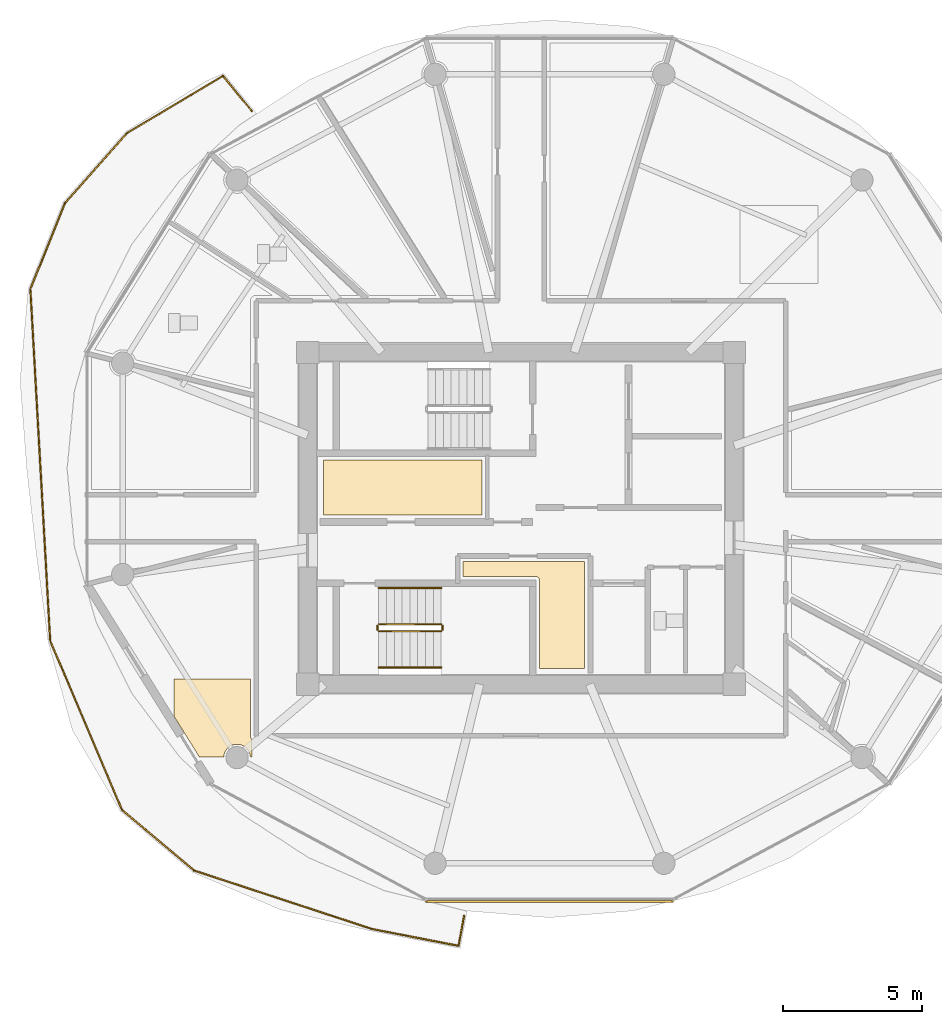
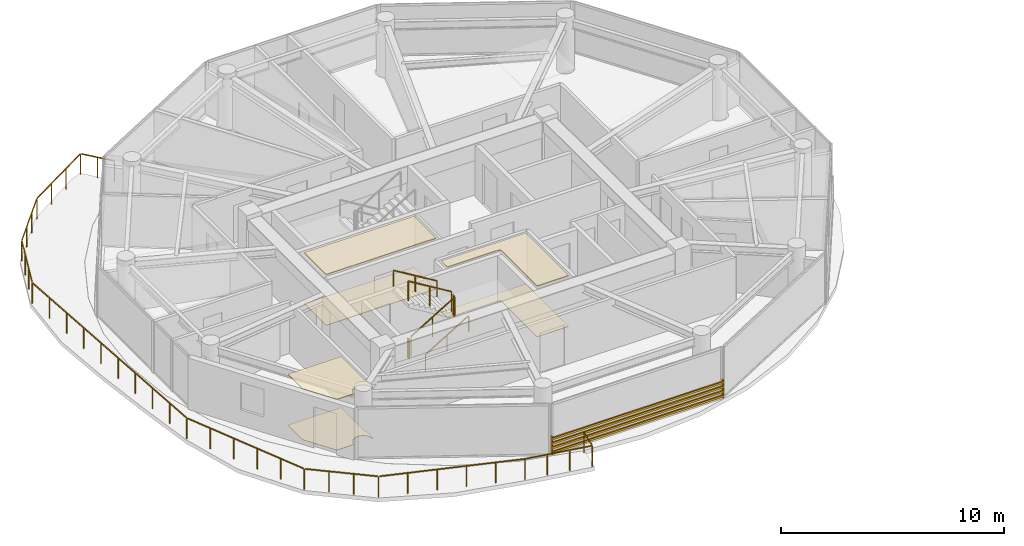
# One storey, part 19 of 25: 8 railings, 6 coverings, 1 shading device.
"""IFC4 building model written with IfcOpenShell, lengths in metres."""

from ifc_helpers import new_model, si_unit, direction, frame, origin, origin_2d, place, context, subcontext, project, spatial, polyline, rectangle, outline, extrude, source, transform, mapped, material, layer, layer_set, type_object, type_shapes, element, save


model = new_model("IFC4")

# Units and contexts
model_context = context("Model", 3, precision=1e-05, world=origin(), true_north=direction((0.0, 1.0)))
body_context = subcontext(model_context, "Body", "Model", "MODEL_VIEW")
ifc_project = project(units=[si_unit("LENGTHUNIT", "METRE"), si_unit("AREAUNIT", "SQUARE_METRE"), si_unit("VOLUMEUNIT", "CUBIC_METRE"), si_unit("PLANEANGLEUNIT", "RADIAN"), si_unit("MASSUNIT", "GRAM", prefix="KILO")], contexts=[model_context])

# Site, building, storey
site_placement = place(None, origin())
site = spatial("IfcSite", under=ifc_project, at=site_placement, CompositionType="ELEMENT")
building_placement = place(site_placement, origin())
building = spatial("IfcBuilding", under=site, at=building_placement, Name="Norrkilde Senior Care Towers", CompositionType="ELEMENT")
storey_placement = place(building_placement, frame((0.0, 0.0, 161.75)))
storey = spatial("IfcBuildingStorey", under=building, at=storey_placement, Name="L50", CompositionType="ELEMENT", Elevation=161.75)

# Coverings
ifc_material_1 = material(Name="Nordic Ash Timber", Category="wood")
ifc_layer_1 = layer(ifc_material_1, 0.044921875)
ifc_layer_set_1 = layer_set([ifc_layer_1], Name="Nordic Ash Timber")
covering_type_1 = type_object("IfcCoveringType", Name="Acoustic Ash Timber Slatted Ceiling 45", PredefinedType="CEILING", material=ifc_layer_set_1)
covering_1_placement = place(storey_placement, frame((0.0, 0.0, 2.764892578125)))
element("IfcCovering", 1, at=covering_1_placement, inside=storey, type_object=covering_type_1, Name="L50 Suspended Ceiling 0304", PredefinedType="CEILING", context=body_context, shape_type="SweptSolid", body=[
    extrude(outline(polyline([(-29.39990234375, 0.1201171875), (-35.080078125, 0.1201171875), (-35.080078125, 2.090087890625), (-29.39990234375, 2.090087890625), (-29.39990234375, 0.1201171875)])), origin(), (0.0, 0.0, 1.0), 0.045166015625),
])
covering_2_placement = place(storey_placement, frame((0.0, 0.0, 2.764892578125)))
element("IfcCovering", 2, at=covering_2_placement, inside=storey, type_object=covering_type_1, Name="L50 Suspended Ceiling 0305", PredefinedType="CEILING", context=body_context, shape_type="SweptSolid", body=[
    extrude(outline(polyline([(-27.34521484375, -2.175048828125), (-27.34912109375, -2.1640625), (-27.354248046875, -2.1533203125), (-27.360107421875, -2.143310546875), (-27.3671875, -2.1337890625), (-27.375244140625, -2.125244140625), (-27.3837890625, -2.1171875), (-27.393310546875, -2.110107421875), (-27.4033203125, -2.104248046875), (-27.4140625, -2.09912109375), (-27.425048828125, -2.09521484375), (-27.4365234375, -2.09228515625), (-27.4482421875, -2.090576171875), (-27.4599609375, -2.090087890625), (-30.080078125, -2.090087890625), (-30.080078125, -1.5400390625), (-25.7099609375, -1.5400390625), (-25.7099609375, -5.3798828125), (-27.340087890625, -5.3798828125), (-27.340087890625, -2.2099609375), (-27.340576171875, -2.1982421875), (-27.34228515625, -2.1865234375), (-27.34521484375, -2.175048828125)])), origin(), (0.0, 0.0, 1.0), 0.045166015625),
])
covering_3_placement = place(storey_placement, frame((0.0, 0.0, 2.764892578125)))
element("IfcCovering", 3, at=covering_3_placement, inside=storey, type_object=covering_type_1, Name="L50 Suspended Ceiling 0315", PredefinedType="CEILING", context=body_context, shape_type="SweptSolid", body=[
    extrude(outline(polyline([(-37.65185546875, -8.56005859375), (-37.705810546875, -8.56005859375), (-37.718994140625, -8.45947265625), (-37.766845703125, -8.34375), (-37.84326171875, -8.244384765625), (-37.942626953125, -8.16796875), (-38.058349609375, -8.1201171875), (-38.1826171875, -8.103759765625), (-38.306884765625, -8.1201171875), (-38.422607421875, -8.16796875), (-38.52197265625, -8.244384765625), (-38.598388671875, -8.34375), (-38.646240234375, -8.45947265625), (-38.659423828125, -8.56005859375), (-39.534423828125, -8.56005859375), (-40.451904296875, -7.08251953125), (-40.451904296875, -5.760009765625), (-37.699951171875, -5.760009765625), (-37.699951171875, -7.800048828125), (-37.699951171875, -7.805908203125), (-37.699462890625, -7.813720703125), (-37.6982421875, -7.825439453125), (-37.697265625, -7.833251953125), (-37.69482421875, -7.8447265625), (-37.69287109375, -7.852294921875), (-37.689453125, -7.86376953125), (-37.68701171875, -7.87109375), (-37.682373046875, -7.8818359375), (-37.678955078125, -7.888916015625), (-37.673583984375, -7.8994140625), (-37.66943359375, -7.90625), (-37.662841796875, -7.916015625), (-37.658203125, -7.92236328125), (-37.65185546875, -7.929931640625), (-37.65185546875, -8.56005859375)])), origin(), (0.0, 0.0, 1.0), 0.045166015625),
])

# Railings
ifc_material_2 = material(Name="Anodised Aluminium", Category="aluminium")
railing_type_1 = type_object("IfcRailingType", Name="Balcony Swirl Ribbon Guardrail 1150", PredefinedType="GUARDRAIL", material=ifc_material_2)
railing_1_placement = place(storey_placement, frame((-33.366455078125, -14.725830078125, 0.0)))
element("IfcRailing", 4, at=railing_1_placement, inside=storey, type_object=railing_type_1, Name="L50 Perimeter Safety Guard 03", PredefinedType="GUARDRAIL", context=body_context, shape_type="SweptSolid", body=[
    extrude(rectangle(XDim=0.048095703125, YDim=0.048095703125, at=origin_2d()), frame((0.0, 0.0, 1.1259765625), z_axis=(-0.949836458143, 0.312747026815, 0.0), x_axis=(-0.312747026815, -0.949836458143, 0.0)), (0.0, 0.0, 1.0), 6.654541015625),
    extrude(rectangle(XDim=0.048095703125, YDim=0.048095703125, at=origin_2d()), frame((-6.390869140625, 2.120361328125, 1.1259765625), z_axis=(-0.764888715317, 0.644162443163, 0.0), x_axis=(-0.644162443163, -0.764888715317, 0.0)), (0.0, 0.0, 1.0), 3.29736328125),
    extrude(rectangle(XDim=0.048095703125, YDim=0.048095703125, at=origin_2d()), frame((-8.960205078125, 4.308349609375, 1.1259765625), z_axis=(-0.390870617821, 0.92044563127, 0.0), x_axis=(-0.92044563127, -0.390870617821, 0.0)), (0.0, 0.0, 1.0), 6.504638671875),
    extrude(rectangle(XDim=0.048095703125, YDim=0.048095703125, at=origin_2d()), frame((-11.52099609375, 10.3740234375, 1.1259765625), z_axis=(-0.056265386403, 0.998415848378, 0.0), x_axis=(-0.998415848378, -0.056265386403, 0.0)), (0.0, 0.0, 1.0), 12.54931640625),
    extrude(rectangle(XDim=0.048095703125, YDim=0.048095703125, at=origin_2d()), frame((-12.21435546875, 22.982177734375, 1.1259765625), z_axis=(0.372993750319, 0.927833854859, 0.0), x_axis=(-0.927833854859, 0.372993750319, 0.0)), (0.0, 0.0, 1.0), 3.251708984375),
    extrude(rectangle(XDim=0.048095703125, YDim=0.048095703125, at=origin_2d()), frame((-10.958984375, 26.06787109375, 1.1259765625), z_axis=(0.664372872064, 0.747401289044, 0.0), x_axis=(-0.747401289044, 0.664372872064, 0.0)), (0.0, 0.0, 1.0), 3.273193359375),
    extrude(rectangle(XDim=0.048095703125, YDim=0.048095703125, at=origin_2d()), frame((-8.721923828125, 28.56591796875, 1.1259765625), z_axis=(0.858878840387, 0.512178814024, 0.0), x_axis=(-0.512178814024, 0.858878840387, 0.0)), (0.0, 0.0, 1.0), 3.91943359375),
    extrude(rectangle(XDim=0.048095703125, YDim=0.048095703125, at=origin_2d()), frame((-5.294677734375, 30.562744140625, 1.1259765625), z_axis=(0.63571776856, -0.77192157551, 0.0), x_axis=(0.77192157551, 0.63571776856, 0.0)), (0.0, 0.0, 1.0), 1.586669921875),
    extrude(rectangle(XDim=0.0419921875, YDim=0.0419921875, at=origin_2d()), origin(), (0.0, 0.0, 1.0), 1.099853515625),
    extrude(rectangle(XDim=0.0419921875, YDim=0.0419921875, at=origin_2d()), frame((-1.27197265625, 0.418701171875, 0.0)), (0.0, 0.0, 1.0), 1.099853515625),
    extrude(rectangle(XDim=0.0419921875, YDim=0.0419921875, at=origin_2d()), frame((-2.5439453125, 0.837646484375, 0.0)), (0.0, 0.0, 1.0), 1.099853515625),
    extrude(rectangle(XDim=0.0419921875, YDim=0.0419921875, at=origin_2d()), frame((-3.815673828125, 1.25634765625, 0.0)), (0.0, 0.0, 1.0), 1.099853515625),
    extrude(rectangle(XDim=0.0419921875, YDim=0.0419921875, at=origin_2d()), frame((-5.087646484375, 1.67529296875, 0.0)), (0.0, 0.0, 1.0), 1.099853515625),
    extrude(rectangle(XDim=0.0419921875, YDim=0.0419921875, at=origin_2d()), frame((-6.359619140625, 2.093994140625, 0.0)), (0.0, 0.0, 1.0), 1.099853515625),
    extrude(rectangle(XDim=0.0419921875, YDim=0.0419921875, at=origin_2d()), frame((-7.22119140625, 2.819580078125, 0.0)), (0.0, 0.0, 1.0), 1.099853515625),
    extrude(rectangle(XDim=0.0419921875, YDim=0.0419921875, at=origin_2d()), frame((-8.082763671875, 3.545166015625, 0.0)), (0.0, 0.0, 1.0), 1.099853515625),
    extrude(rectangle(XDim=0.0419921875, YDim=0.0419921875, at=origin_2d()), frame((-8.9443359375, 4.270751953125, 0.0)), (0.0, 0.0, 1.0), 1.099853515625),
    extrude(rectangle(XDim=0.0419921875, YDim=0.0419921875, at=origin_2d()), frame((-9.459228515625, 5.483154296875, 0.0)), (0.0, 0.0, 1.0), 1.099853515625),
    extrude(rectangle(XDim=0.0419921875, YDim=0.0419921875, at=origin_2d()), frame((-9.97412109375, 6.69580078125, 0.0)), (0.0, 0.0, 1.0), 1.099853515625),
    extrude(rectangle(XDim=0.0419921875, YDim=0.0419921875, at=origin_2d()), frame((-10.489013671875, 7.908203125, 0.0)), (0.0, 0.0, 1.0), 1.099853515625),
    extrude(rectangle(XDim=0.0419921875, YDim=0.0419921875, at=origin_2d()), frame((-11.00390625, 9.120849609375, 0.0)), (0.0, 0.0, 1.0), 1.099853515625),
    extrude(rectangle(XDim=0.0419921875, YDim=0.0419921875, at=origin_2d()), frame((-11.518798828125, 10.333251953125, 0.0)), (0.0, 0.0, 1.0), 1.099853515625),
    extrude(rectangle(XDim=0.0419921875, YDim=0.0419921875, at=origin_2d()), frame((-11.59765625, 11.734375, 0.0)), (0.0, 0.0, 1.0), 1.099853515625),
    extrude(rectangle(XDim=0.0419921875, YDim=0.0419921875, at=origin_2d()), frame((-11.6767578125, 13.1357421875, 0.0)), (0.0, 0.0, 1.0), 1.099853515625),
    extrude(rectangle(XDim=0.0419921875, YDim=0.0419921875, at=origin_2d()), frame((-11.755615234375, 14.536865234375, 0.0)), (0.0, 0.0, 1.0), 1.099853515625),
    extrude(rectangle(XDim=0.0419921875, YDim=0.0419921875, at=origin_2d()), frame((-11.834716796875, 15.938232421875, 0.0)), (0.0, 0.0, 1.0), 1.099853515625),
    extrude(rectangle(XDim=0.0419921875, YDim=0.0419921875, at=origin_2d()), frame((-11.91357421875, 17.33935546875, 0.0)), (0.0, 0.0, 1.0), 1.099853515625),
    extrude(rectangle(XDim=0.0419921875, YDim=0.0419921875, at=origin_2d()), frame((-11.99267578125, 18.74072265625, 0.0)), (0.0, 0.0, 1.0), 1.099853515625),
    extrude(rectangle(XDim=0.0419921875, YDim=0.0419921875, at=origin_2d()), frame((-12.071533203125, 20.141845703125, 0.0)), (0.0, 0.0, 1.0), 1.099853515625),
    extrude(rectangle(XDim=0.0419921875, YDim=0.0419921875, at=origin_2d()), frame((-12.150634765625, 21.543212890625, 0.0)), (0.0, 0.0, 1.0), 1.099853515625),
    extrude(rectangle(XDim=0.0419921875, YDim=0.0419921875, at=origin_2d()), frame((-12.2294921875, 22.9443359375, 0.0)), (0.0, 0.0, 1.0), 1.099853515625),
    extrude(rectangle(XDim=0.0419921875, YDim=0.0419921875, at=origin_2d()), frame((-11.81494140625, 23.975341796875, 0.0)), (0.0, 0.0, 1.0), 1.099853515625),
    extrude(rectangle(XDim=0.0419921875, YDim=0.0419921875, at=origin_2d()), frame((-11.400634765625, 25.00634765625, 0.0)), (0.0, 0.0, 1.0), 1.099853515625),
    extrude(rectangle(XDim=0.0419921875, YDim=0.0419921875, at=origin_2d()), frame((-10.986083984375, 26.037353515625, 0.0)), (0.0, 0.0, 1.0), 1.099853515625),
    extrude(rectangle(XDim=0.0419921875, YDim=0.0419921875, at=origin_2d()), frame((-10.2431640625, 26.873291015625, 0.0)), (0.0, 0.0, 1.0), 1.099853515625),
    extrude(rectangle(XDim=0.0419921875, YDim=0.0419921875, at=origin_2d()), frame((-9.5, 27.708984375, 0.0)), (0.0, 0.0, 1.0), 1.099853515625),
    extrude(rectangle(XDim=0.0419921875, YDim=0.0419921875, at=origin_2d()), frame((-8.757080078125, 28.544921875, 0.0)), (0.0, 0.0, 1.0), 1.099853515625),
    extrude(rectangle(XDim=0.0419921875, YDim=0.0419921875, at=origin_2d()), frame((-7.611572265625, 29.22802734375, 0.0)), (0.0, 0.0, 1.0), 1.099853515625),
    extrude(rectangle(XDim=0.0419921875, YDim=0.0419921875, at=origin_2d()), frame((-6.466064453125, 29.9111328125, 0.0)), (0.0, 0.0, 1.0), 1.099853515625),
    extrude(rectangle(XDim=0.0419921875, YDim=0.0419921875, at=origin_2d()), frame((-5.320556640625, 30.59423828125, 0.0)), (0.0, 0.0, 1.0), 1.099853515625),
    extrude(rectangle(XDim=0.0419921875, YDim=0.0419921875, at=origin_2d()), frame((-4.80322265625, 29.966064453125, 0.0)), (0.0, 0.0, 1.0), 1.099853515625),
    extrude(rectangle(XDim=0.0419921875, YDim=0.0419921875, at=origin_2d()), frame((-4.285888671875, 29.337890625, 0.0)), (0.0, 0.0, 1.0), 1.099853515625),
])
railing_2_placement = place(storey_placement, frame((-30.035888671875, -14.25146484375, 0.0)))
element("IfcRailing", 5, at=railing_2_placement, inside=storey, type_object=railing_type_1, Name="L50 Perimeter Safety Guard 04", PredefinedType="GUARDRAIL", context=body_context, shape_type="SweptSolid", body=[
    extrude(rectangle(XDim=0.048095703125, YDim=0.048095703125, at=origin_2d()), frame((0.0, 0.0, 1.1259765625), z_axis=(-0.182763507618, -0.983156905221, 0.0), x_axis=(0.983156905221, -0.182763507618, 0.0)), (0.0, 0.0, 1.0), 1.061279296875),
    extrude(rectangle(XDim=0.048095703125, YDim=0.048095703125, at=origin_2d()), frame((-0.241455078125, -1.07568359375, 1.1259765625), z_axis=(-0.981575111496, 0.191076687461, 0.0), x_axis=(-0.191076687461, -0.981575111496, 0.0)), (0.0, 0.0, 1.0), 3.14697265625),
    extrude(rectangle(XDim=0.0419921875, YDim=0.0419921875, at=origin_2d()), origin(), (0.0, 0.0, 1.0), 1.099853515625),
    extrude(rectangle(XDim=0.0419921875, YDim=0.0419921875, at=origin_2d()), frame((-0.201416015625, -1.08349609375, 0.0)), (0.0, 0.0, 1.0), 1.099853515625),
    extrude(rectangle(XDim=0.0419921875, YDim=0.0419921875, at=origin_2d()), frame((-1.244384765625, -0.88037109375, 0.0)), (0.0, 0.0, 1.0), 1.099853515625),
    extrude(rectangle(XDim=0.0419921875, YDim=0.0419921875, at=origin_2d()), frame((-2.28759765625, -0.677490234375, 0.0)), (0.0, 0.0, 1.0), 1.099853515625),
    extrude(rectangle(XDim=0.0419921875, YDim=0.0419921875, at=origin_2d()), frame((-3.33056640625, -0.474365234375, 0.0)), (0.0, 0.0, 1.0), 1.099853515625),
])

# Coverings
ifc_material_3 = material(Name="Slip-Resistant Porcelain Stone", Category="masonry")
ifc_layer_2 = layer(ifc_material_3, 0.02490234375)
ifc_layer_set_2 = layer_set([ifc_layer_2], Name="Slip-Resistant Porcelain Stone")
covering_type_2 = type_object("IfcCoveringType", Name="Slip-Resistant Porcelain Flooring 25", PredefinedType="FLOORING", material=ifc_layer_set_2)
covering_4_placement = place(storey_placement, origin())
element("IfcCovering", 6, at=covering_4_placement, inside=storey, type_object=covering_type_2, Name="L50 Floor Finish 0304", PredefinedType="FLOORING", context=body_context, shape_type="SweptSolid", body=[
    extrude(outline(polyline([(-29.39990234375, 0.1201171875), (-35.080078125, 0.1201171875), (-35.080078125, 2.090087890625), (-29.39990234375, 2.090087890625), (-29.39990234375, 0.1201171875)])), origin(), (0.0, 0.0, 1.0), 0.02490234375),
])
covering_5_placement = place(storey_placement, origin())
element("IfcCovering", 7, at=covering_5_placement, inside=storey, type_object=covering_type_2, Name="L50 Floor Finish 0305", PredefinedType="FLOORING", context=body_context, shape_type="SweptSolid", body=[
    extrude(outline(polyline([(-27.34521484375, -2.175048828125), (-27.34912109375, -2.1640625), (-27.354248046875, -2.1533203125), (-27.360107421875, -2.143310546875), (-27.3671875, -2.1337890625), (-27.375244140625, -2.125244140625), (-27.3837890625, -2.1171875), (-27.393310546875, -2.110107421875), (-27.4033203125, -2.104248046875), (-27.4140625, -2.09912109375), (-27.425048828125, -2.09521484375), (-27.4365234375, -2.09228515625), (-27.4482421875, -2.090576171875), (-27.4599609375, -2.090087890625), (-30.080078125, -2.090087890625), (-30.080078125, -1.5400390625), (-25.7099609375, -1.5400390625), (-25.7099609375, -5.3798828125), (-27.340087890625, -5.3798828125), (-27.340087890625, -2.2099609375), (-27.340576171875, -2.1982421875), (-27.34228515625, -2.1865234375), (-27.34521484375, -2.175048828125)])), origin(), (0.0, 0.0, 1.0), 0.02490234375),
])
covering_6_placement = place(storey_placement, origin())
element("IfcCovering", 8, at=covering_6_placement, inside=storey, type_object=covering_type_2, Name="L50 Floor Finish 0315", PredefinedType="FLOORING", context=body_context, shape_type="SweptSolid", body=[
    extrude(outline(polyline([(-37.65185546875, -8.56005859375), (-37.705810546875, -8.56005859375), (-37.718994140625, -8.45947265625), (-37.766845703125, -8.34375), (-37.84326171875, -8.244384765625), (-37.942626953125, -8.16796875), (-38.058349609375, -8.1201171875), (-38.1826171875, -8.103759765625), (-38.306884765625, -8.1201171875), (-38.422607421875, -8.16796875), (-38.52197265625, -8.244384765625), (-38.598388671875, -8.34375), (-38.646240234375, -8.45947265625), (-38.659423828125, -8.56005859375), (-39.534423828125, -8.56005859375), (-40.451904296875, -7.08251953125), (-40.451904296875, -5.760009765625), (-37.699951171875, -5.760009765625), (-37.699951171875, -7.800048828125), (-37.699951171875, -7.805908203125), (-37.699462890625, -7.813720703125), (-37.6982421875, -7.825439453125), (-37.697265625, -7.833251953125), (-37.69482421875, -7.8447265625), (-37.69287109375, -7.852294921875), (-37.689453125, -7.86376953125), (-37.68701171875, -7.87109375), (-37.682373046875, -7.8818359375), (-37.678955078125, -7.888916015625), (-37.673583984375, -7.8994140625), (-37.66943359375, -7.90625), (-37.662841796875, -7.916015625), (-37.658203125, -7.92236328125), (-37.65185546875, -7.929931640625), (-37.65185546875, -8.56005859375)])), origin(), (0.0, 0.0, 1.0), 0.02490234375),
])

# Railings
ifc_material_4 = material(Name="Stainless Steel", Category="steel")
railing_type_2 = type_object("IfcRailingType", Name="Stair and Terrace Guardrail 1100", PredefinedType="GUARDRAIL", material=ifc_material_4)
railing_3_placement = place(storey_placement, frame((-33.10009765625, -4.050048828125, 0.16943359375)))
element("IfcRailing", 9, at=railing_3_placement, inside=storey, type_object=railing_type_2, Name="L50 ST-W2 stair guard 1", PredefinedType="GUARDRAIL", context=body_context, shape_type="SweptSolid", body=[
    extrude(rectangle(XDim=0.048095703125, YDim=0.048095703125, at=origin_2d()), frame((0.0, 0.0, 1.076171875), z_axis=(0.855553338991, 0.0, 0.51771467445), x_axis=(0.0, 1.0, 0.0)), (0.0, 0.0, 1.0), 2.6181640625),
    extrude(rectangle(XDim=0.0419921875, YDim=0.0419921875, at=origin_2d()), origin(), (0.0, 0.0, 1.0), 1.050048828125),
    extrude(rectangle(XDim=0.0419921875, YDim=0.0419921875, at=origin_2d()), frame((1.1201171875, 0.0, 0.677734375)), (0.0, 0.0, 1.0), 1.050048828125),
    extrude(rectangle(XDim=0.0419921875, YDim=0.0419921875, at=origin_2d()), frame((2.239990234375, 0.0, 1.35546875)), (0.0, 0.0, 1.0), 1.050048828125),
])
railing_4_placement = place(storey_placement, frame((-30.81005859375, -4.0, 1.52490234375)))
element("IfcRailing", 10, at=railing_4_placement, inside=storey, type_object=railing_type_2, Name="L50 ST-W2 stair guard 2", PredefinedType="GUARDRAIL", context=body_context, shape_type="SweptSolid", body=[
    extrude(rectangle(XDim=0.048095703125, YDim=0.048095703125, at=origin_2d()), frame((0.0, 0.0, 1.076171875), z_axis=(0.0, 1.0, 0.0), x_axis=(-1.0, 0.0, 0.0)), (0.0, 0.0, 1.0), 0.14990234375),
    extrude(rectangle(XDim=0.0419921875, YDim=0.0419921875, at=origin_2d()), origin(), (0.0, 0.0, 1.0), 1.050048828125),
    extrude(rectangle(XDim=0.0419921875, YDim=0.0419921875, at=origin_2d()), frame((0.0, 0.14990234375, 0.0)), (0.0, 0.0, 1.0), 1.050048828125),
])
railing_5_placement = place(storey_placement, frame((-30.860107421875, -3.800048828125, 1.6943359375)))
element("IfcRailing", 11, at=railing_5_placement, inside=storey, type_object=railing_type_2, Name="L50 ST-W2 stair guard 3", PredefinedType="GUARDRAIL", context=body_context, shape_type="SweptSolid", body=[
    extrude(rectangle(XDim=0.048095703125, YDim=0.048095703125, at=origin_2d()), frame((0.0, 0.0, 1.076171875), z_axis=(-0.855512035549, 0.0, 0.517782924622), x_axis=(0.0, -1.0, 0.0)), (0.0, 0.0, 1.0), 2.618408203125),
    extrude(rectangle(XDim=0.0419921875, YDim=0.0419921875, at=origin_2d()), origin(), (0.0, 0.0, 1.0), 1.050048828125),
    extrude(rectangle(XDim=0.0419921875, YDim=0.0419921875, at=origin_2d()), frame((-1.1201171875, 0.0, 0.677734375)), (0.0, 0.0, 1.0), 1.050048828125),
    extrude(rectangle(XDim=0.0419921875, YDim=0.0419921875, at=origin_2d()), frame((-2.239990234375, 0.0, 1.355712890625)), (0.0, 0.0, 1.0), 1.050048828125),
])
railing_6_placement = place(storey_placement, frame((-33.14990234375, -4.0, 0.0)))
element("IfcRailing", 12, at=railing_6_placement, inside=storey, type_object=railing_type_2, Name="L50 ST-W2 stair guard 4", PredefinedType="GUARDRAIL", context=body_context, shape_type="SweptSolid", body=[
    extrude(rectangle(XDim=0.048095703125, YDim=0.048095703125, at=origin_2d()), frame((0.0, 0.0, 1.076171875), z_axis=(0.0, 1.0, 0.0), x_axis=(-1.0, 0.0, 0.0)), (0.0, 0.0, 1.0), 0.14990234375),
    extrude(rectangle(XDim=0.0419921875, YDim=0.0419921875, at=origin_2d()), origin(), (0.0, 0.0, 1.0), 1.050048828125),
    extrude(rectangle(XDim=0.0419921875, YDim=0.0419921875, at=origin_2d()), frame((0.0, 0.14990234375, 0.0)), (0.0, 0.0, 1.0), 1.050048828125),
])
railing_type_3 = type_object("IfcRailingType", Name="Wall and Stair Handrail 900", PredefinedType="HANDRAIL", material=ifc_material_1)
railing_7_placement = place(storey_placement, frame((-33.10009765625, -5.35009765625, 0.16943359375)))
element("IfcRailing", 13, at=railing_7_placement, inside=storey, type_object=railing_type_3, Name="L50 ST-W2 stair handrail 1", PredefinedType="HANDRAIL", context=body_context, shape_type="SweptSolid", body=[
    extrude(rectangle(XDim=0.048095703125, YDim=0.048095703125, at=origin_2d()), frame((0.0, 0.0, 0.8759765625), z_axis=(0.855553338991, 0.0, 0.51771467445), x_axis=(0.0, 1.0, 0.0)), (0.0, 0.0, 1.0), 2.6181640625),
    extrude(rectangle(XDim=0.0419921875, YDim=0.0419921875, at=origin_2d()), origin(), (0.0, 0.0, 1.0), 0.849853515625),
    extrude(rectangle(XDim=0.0419921875, YDim=0.0419921875, at=origin_2d()), frame((1.1201171875, 0.0, 0.677734375)), (0.0, 0.0, 1.0), 0.849853515625),
    extrude(rectangle(XDim=0.0419921875, YDim=0.0419921875, at=origin_2d()), frame((2.239990234375, 0.0, 1.35546875)), (0.0, 0.0, 1.0), 0.849853515625),
])
railing_8_placement = place(storey_placement, frame((-30.860107421875, -2.5, 1.6943359375)))
element("IfcRailing", 14, at=railing_8_placement, inside=storey, type_object=railing_type_3, Name="L50 ST-W2 stair handrail 2", PredefinedType="HANDRAIL", context=body_context, shape_type="SweptSolid", body=[
    extrude(rectangle(XDim=0.048095703125, YDim=0.048095703125, at=origin_2d()), frame((0.0, 0.0, 0.8759765625), z_axis=(-0.855512035549, 0.0, 0.517782924622), x_axis=(0.0, -1.0, 0.0)), (0.0, 0.0, 1.0), 2.618408203125),
    extrude(rectangle(XDim=0.0419921875, YDim=0.0419921875, at=origin_2d()), origin(), (0.0, 0.0, 1.0), 0.849853515625),
    extrude(rectangle(XDim=0.0419921875, YDim=0.0419921875, at=origin_2d()), frame((-1.1201171875, 0.0, 0.677734375)), (0.0, 0.0, 1.0), 0.849853515625),
    extrude(rectangle(XDim=0.0419921875, YDim=0.0419921875, at=origin_2d()), frame((-2.239990234375, 0.0, 1.355712890625)), (0.0, 0.0, 1.0), 0.849853515625),
])

# Shading device
ifc_material_5 = material(Name="Architectural Terracotta", Category="masonry")
shading_device_type = type_object("IfcShadingDeviceType", Name="Horizontal Terracotta Baguette Rack", PredefinedType="USERDEFINED", material=ifc_material_5)
shared_shape = source(origin(), body_context, "Body", "SweptSolid", [
    extrude(rectangle(XDim=0.070068359375, YDim=0.110107421875, at=origin_2d()), frame((0.0, 0.090087890625, 0.125), z_axis=(1.0, 0.0, 0.0), x_axis=(0.0, 1.0, 0.0)), (0.0, 0.0, 1.0), 8.89306640625),
    extrude(rectangle(XDim=0.070068359375, YDim=0.110107421875, at=origin_2d()), frame((0.0, 0.090087890625, 0.375), z_axis=(1.0, 0.0, 0.0), x_axis=(0.0, 1.0, 0.0)), (0.0, 0.0, 1.0), 8.89306640625),
    extrude(rectangle(XDim=0.070068359375, YDim=0.110107421875, at=origin_2d()), frame((0.0, 0.090087890625, 0.625), z_axis=(1.0, 0.0, 0.0), x_axis=(0.0, 1.0, 0.0)), (0.0, 0.0, 1.0), 8.89306640625),
    extrude(rectangle(XDim=0.070068359375, YDim=0.110107421875, at=origin_2d()), frame((0.0, 0.090087890625, 0.875), z_axis=(1.0, 0.0, 0.0), x_axis=(0.0, 1.0, 0.0)), (0.0, 0.0, 1.0), 8.89306640625),
    extrude(rectangle(XDim=0.050048828125, YDim=0.1552734375, at=origin_2d()), frame((0.02490234375, 0.047607421875, 0.0)), (0.0, 0.0, 1.0), 1.0),
    extrude(rectangle(XDim=0.050048828125, YDim=0.1552734375, at=origin_2d()), frame((8.8681640625, 0.047607421875, 0.0)), (0.0, 0.0, 1.0), 1.0),
])
type_shapes(shading_device_type, [shared_shape])
shading_device_placement = place(storey_placement, frame((-22.528564453125, -13.66015625, 0.080078125), z_axis=(0.0, 0.0, 1.0), x_axis=(-1.0, 0.0, 0.0)))
element("IfcShadingDevice", 15, at=shading_device_placement, inside=storey, type_object=shading_device_type, Name="L50 Drum W Terracotta Baguette Screen 08", ObjectType="BAGUETTE", PredefinedType="USERDEFINED", context=body_context, shape_type="MappedRepresentation", body=[
    mapped(shared_shape, transform((0.0, 0.0, 0.0), x_axis=(1.0, 0.0, 0.0), y_axis=(0.0, 1.0, 0.0), z_axis=(0.0, 0.0, 1.0), scale=1.0)),
])

save(model, "model.ifc")
